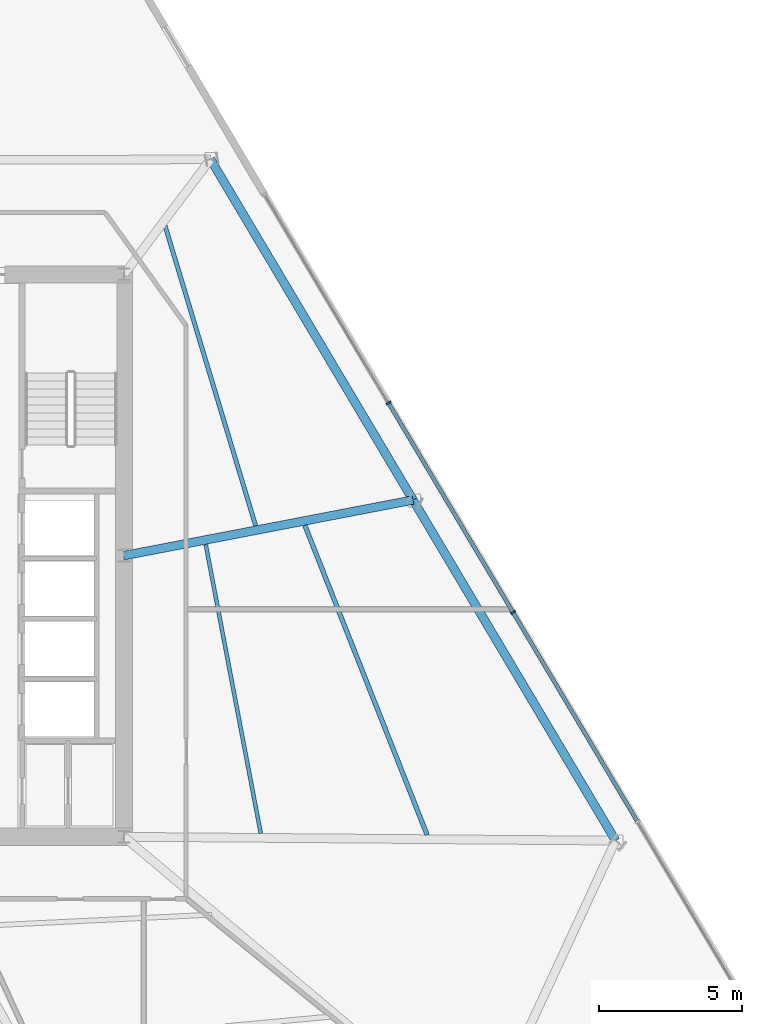
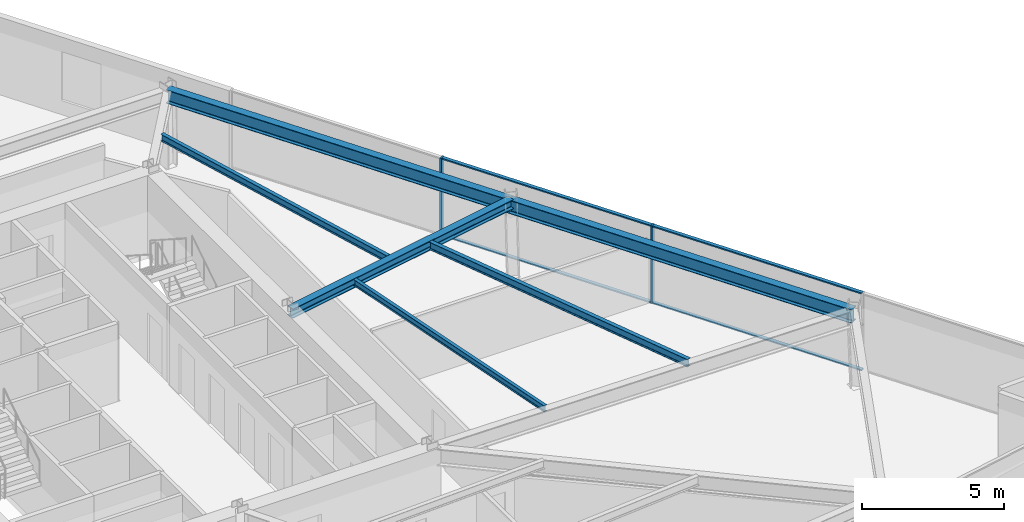
# One storey, part 6 of 18: 6 beams, 6 members, 1 element without a shape of its own.
"""IFC4 building model written with IfcOpenShell, lengths in metres."""

from ifc_helpers import new_model, si_unit, direction, frame, origin, origin_2d, place, context, subcontext, project, spatial, rectangle, i_section, extrude, material, material_profile, profile_set, type_object, element, aggregate, save


model = new_model("IFC4")

# Units and contexts
model_context = context("Model", 3, precision=1e-05, world=origin(), true_north=direction((0.0, 1.0)))
body_context = subcontext(model_context, "Body", "Model", "MODEL_VIEW")
ifc_project = project(units=[si_unit("LENGTHUNIT", "METRE"), si_unit("AREAUNIT", "SQUARE_METRE"), si_unit("VOLUMEUNIT", "CUBIC_METRE"), si_unit("PLANEANGLEUNIT", "RADIAN"), si_unit("MASSUNIT", "GRAM", prefix="KILO")], contexts=[model_context])

# Site, building, storey
site_placement = place(None, origin())
site = spatial("IfcSite", under=ifc_project, at=site_placement, CompositionType="ELEMENT")
building_placement = place(site_placement, origin())
building = spatial("IfcBuilding", under=site, at=building_placement, Name="Savorim Split Tower", CompositionType="ELEMENT")
storey_placement = place(building_placement, frame((0.0, 0.0, 37.199951171875)))
storey = spatial("IfcBuildingStorey", under=building, at=storey_placement, Name="L09", CompositionType="ELEMENT", Elevation=37.199951171875)

# Beams
ifc_material_1 = material(Name="Steel S355", Category="steel")
ifc_material_profile_1 = material_profile(ifc_material_1, i_section(OverallWidth=0.135009765625, OverallDepth=0.27001953125, WebThickness=0.006591796875, FlangeThickness=0.01025390625, FilletRadius=0.014892578125, at=origin_2d()), Name="IPE 270")
ifc_profile_set_1 = profile_set([ifc_material_profile_1], Name="Steel S355")
beam_type_1 = type_object("IfcBeamType", Name="BM-JST-IPE270", PredefinedType="JOIST", material=ifc_profile_set_1)
beam_1_placement = place(storey_placement, frame((12.468994140625, -9.280517578125, 3.215087890625), z_axis=(-0.187095685997, 0.98234169426, 0.0), x_axis=(-0.98234169426, -0.187095685997, 0.0)))
element("IfcBeam", 1, at=beam_1_placement, inside=storey, type_object=beam_type_1, Name="L09 Secondary Floor Joist JS-08", PredefinedType="JOIST", context=body_context, shape_type="SweptSolid", body=[
    extrude(i_section(OverallWidth=0.135009765625, OverallDepth=0.27001953125, WebThickness=0.006591796875, FlangeThickness=0.01025390625, FilletRadius=0.014892578125, at=origin_2d()), origin(), (0.0, 0.0, 1.0), 10.247314453125),
])
ifc_material_profile_2 = material_profile(ifc_material_1, i_section(OverallWidth=0.14990234375, OverallDepth=0.300048828125, WebThickness=0.007080078125, FlangeThickness=0.0107421875, FilletRadius=0.014892578125, at=origin_2d()), Name="IPE 300")
ifc_profile_set_2 = profile_set([ifc_material_profile_2], Name="Steel S355")
beam_type_2 = type_object("IfcBeamType", Name="BM-JST-IPE300", PredefinedType="JOIST", material=ifc_profile_set_2)
beam_2_placement = place(storey_placement, frame((12.28955078125, 1.4453125, 3.199951171875), z_axis=(-0.289122566556, 0.957292087875, 0.0), x_axis=(-0.957292087875, -0.289122566556, 0.0)))
element("IfcBeam", 2, at=beam_2_placement, inside=storey, type_object=beam_type_2, Name="L09 Secondary Floor Joist JS-07", PredefinedType="JOIST", context=body_context, shape_type="SweptSolid", body=[
    extrude(i_section(OverallWidth=0.14990234375, OverallDepth=0.300048828125, WebThickness=0.007080078125, FlangeThickness=0.0107421875, FilletRadius=0.014892578125, at=origin_2d()), origin(), (0.0, 0.0, 1.0), 10.9140625),
])
ifc_material_profile_3 = material_profile(ifc_material_1, i_section(OverallWidth=0.159912109375, OverallDepth=0.330078125, WebThickness=0.007568359375, FlangeThickness=0.011474609375, FilletRadius=0.01806640625, at=origin_2d()), Name="IPE 330")
ifc_profile_set_3 = profile_set([ifc_material_profile_3], Name="Steel S355")
beam_type_3 = type_object("IfcBeamType", Name="BM-JST-IPE330", PredefinedType="JOIST", material=ifc_profile_set_3)
beam_3_placement = place(storey_placement, frame((18.26708984375, -9.3349609375, 3.18505859375), z_axis=(-0.367268128361, 0.930115112172, 0.0), x_axis=(-0.930115112172, -0.367268128361, 0.0)))
element("IfcBeam", 3, at=beam_3_placement, inside=storey, type_object=beam_type_3, Name="L09 Secondary Floor Joist JS-06", PredefinedType="JOIST", context=body_context, shape_type="SweptSolid", body=[
    extrude(i_section(OverallWidth=0.159912109375, OverallDepth=0.330078125, WebThickness=0.007568359375, FlangeThickness=0.011474609375, FilletRadius=0.01806640625, at=origin_2d()), origin(), (0.0, 0.0, 1.0), 11.59912109375),
])
ifc_material_profile_4 = material_profile(ifc_material_1, i_section(OverallWidth=0.300048828125, OverallDepth=0.39990234375, WebThickness=0.013427734375, FlangeThickness=0.02392578125, FilletRadius=0.027099609375, at=origin_2d()), Name="HEB 400")
ifc_profile_set_4 = profile_set([ifc_material_profile_4], Name="Steel S355")
beam_type_4 = type_object("IfcBeamType", Name="BM-PRI-HEB400", PredefinedType="BEAM", material=ifc_profile_set_4)
beam_4_placement = place(storey_placement, frame((17.77783203125, 2.33935546875, 3.150146484375), z_axis=(-0.981981156133, -0.188978858604, 0.0), x_axis=(0.188978858604, -0.981981156133, 0.0)))
element("IfcBeam", 4, at=beam_4_placement, inside=storey, type_object=beam_type_4, Name="L09 Primary Floor Girder RG-06", PredefinedType="BEAM", context=body_context, shape_type="SweptSolid", body=[
    extrude(i_section(OverallWidth=0.300048828125, OverallDepth=0.39990234375, WebThickness=0.013427734375, FlangeThickness=0.02392578125, FilletRadius=0.027099609375, at=origin_2d()), origin(), (0.0, 0.0, 1.0), 10.2626953125),
])
ifc_material_profile_5 = material_profile(ifc_material_1, i_section(OverallWidth=0.300048828125, OverallDepth=0.590087890625, WebThickness=0.012939453125, FlangeThickness=0.02490234375, FilletRadius=0.027099609375, at=origin_2d()), Name="HEA 600")
ifc_profile_set_5 = profile_set([ifc_material_profile_5], Name="Steel S355")
beam_type_5 = type_object("IfcBeamType", Name="BM-SPN-HEA600", PredefinedType="SPANDREL", material=ifc_profile_set_5)
for number, where, z_axis, x_axis, name in (
    (5, (24.838623046875, -9.53515625, 3.054931640625), (-0.511089860326, 0.859527285589, 0.0), (-0.859527285589, -0.511089860326, 0.0), "L09 Perimeter Spandrel Beam 5"),
    (6, (17.77783203125, 2.33935546875, 3.054931640625), (-0.511102915943, 0.859519522358, 0.0), (-0.859519522358, -0.511102915943, 0.0), "L09 Perimeter Spandrel Beam 6"),
):
    element("IfcBeam", number, at=place(storey_placement, frame(where, z_axis=z_axis, x_axis=x_axis)), inside=storey, type_object=beam_type_5, Name=name, PredefinedType="SPANDREL", context=body_context, shape_type="SweptSolid", body=[
        extrude(i_section(OverallWidth=0.300048828125, OverallDepth=0.590087890625, WebThickness=0.012939453125, FlangeThickness=0.02490234375, FilletRadius=0.027099609375, at=origin_2d()), origin(), (0.0, 0.0, 1.0), 13.815185546875),
    ])

# Curtain wall, members
ifc_material_2 = material(Name="Dark Ceramic-Fritted Insulated Glass", Category="glass")
curtain_wall_type = type_object("IfcCurtainWallType", Name="CW-TWR-FRIT-A", PredefinedType="NOTDEFINED", material=ifc_material_2)
curtain_wall_placement = place(storey_placement, origin())
curtain_wall = element("IfcCurtainWall", 7, at=curtain_wall_placement, inside=storey, type_object=curtain_wall_type, Name="L09 Curtain Wall CW-L09-EAST", PredefinedType="NOTDEFINED")
ifc_material_3 = material(Name="Charcoal Anodised Aluminium", Category="aluminium")
ifc_material_profile_6 = material_profile(ifc_material_3, rectangle(XDim=0.179931640625, YDim=0.06494140625, at=origin_2d()), Name="ALU-M 180x65")
ifc_profile_set_6 = profile_set([ifc_material_profile_6], Name="Charcoal Anodised Aluminium")
member_type_1 = type_object("IfcMemberType", Name="CWM-180x65", PredefinedType="MULLION", material=ifc_profile_set_6)
member_1_placement = place(storey_placement, frame((21.263916015625, -1.5791015625, 0.0), z_axis=(0.0, 0.0, 1.0), x_axis=(-0.859525752007, -0.511092439425, 0.0)))
member_1 = element("IfcMember", 8, at=member_1_placement, type_object=member_type_1, Name="CW-02 mullion 3", PredefinedType="MULLION", context=body_context, shape_type="SweptSolid", body=[
    extrude(rectangle(XDim=0.179931640625, YDim=0.06494140625, at=origin_2d()), origin(), (0.0, 0.0, 1.0), 3.35009765625),
])
member_2_placement = place(storey_placement, frame((16.92333984375, 5.72021484375, 0.0), z_axis=(0.0, 0.0, 1.0), x_axis=(-0.859525752007, -0.511092439425, 0.0)))
member_2 = element("IfcMember", 9, at=member_2_placement, type_object=member_type_1, Name="CW-02 mullion 4", PredefinedType="MULLION", context=body_context, shape_type="SweptSolid", body=[
    extrude(rectangle(XDim=0.179931640625, YDim=0.06494140625, at=origin_2d()), origin(), (0.0, 0.0, 1.0), 3.35009765625),
])
ifc_material_profile_7 = material_profile(ifc_material_3, rectangle(XDim=0.139892578125, YDim=0.054931640625, at=origin_2d()), Name="ALU-T 140x55")
ifc_profile_set_7 = profile_set([ifc_material_profile_7], Name="Charcoal Anodised Aluminium")
member_type_2 = type_object("IfcMemberType", Name="CWT-140x55", PredefinedType="USERDEFINED", material=ifc_profile_set_7)
member_3_placement = place(storey_placement, frame((25.587646484375, -8.8505859375, 0.027587890625), z_axis=(-0.511096217662, 0.859523505375, 0.0), x_axis=(-0.859523505375, -0.511096217662, 0.0)))
member_3 = element("IfcMember", 10, at=member_3_placement, type_object=member_type_2, Name="CW-02 transom 2.1", ObjectType="TRANSOM", PredefinedType="USERDEFINED", context=body_context, shape_type="SweptSolid", body=[
    extrude(rectangle(XDim=0.139892578125, YDim=0.054931640625, at=origin_2d()), origin(), (0.0, 0.0, 1.0), 8.42724609375),
])
member_4_placement = place(storey_placement, frame((25.587646484375, -8.8505859375, 3.322509765625), z_axis=(-0.511096217662, 0.859523505375, 0.0), x_axis=(-0.859523505375, -0.511096217662, 0.0)))
member_4 = element("IfcMember", 11, at=member_4_placement, type_object=member_type_2, Name="CW-02 transom 2.2", ObjectType="TRANSOM", PredefinedType="USERDEFINED", context=body_context, shape_type="SweptSolid", body=[
    extrude(rectangle(XDim=0.139892578125, YDim=0.054931640625, at=origin_2d()), origin(), (0.0, 0.0, 1.0), 8.42724609375),
])
member_5_placement = place(storey_placement, frame((21.2470703125, -1.55126953125, 0.027587890625), z_axis=(-0.511096217662, 0.859523505375, 0.0), x_axis=(-0.859523505375, -0.511096217662, 0.0)))
member_5 = element("IfcMember", 12, at=member_5_placement, type_object=member_type_2, Name="CW-02 transom 3.1", ObjectType="TRANSOM", PredefinedType="USERDEFINED", context=body_context, shape_type="SweptSolid", body=[
    extrude(rectangle(XDim=0.139892578125, YDim=0.054931640625, at=origin_2d()), origin(), (0.0, 0.0, 1.0), 8.42724609375),
])
member_6_placement = place(storey_placement, frame((21.2470703125, -1.55126953125, 3.322509765625), z_axis=(-0.511096217662, 0.859523505375, 0.0), x_axis=(-0.859523505375, -0.511096217662, 0.0)))
member_6 = element("IfcMember", 13, at=member_6_placement, type_object=member_type_2, Name="CW-02 transom 3.2", ObjectType="TRANSOM", PredefinedType="USERDEFINED", context=body_context, shape_type="SweptSolid", body=[
    extrude(rectangle(XDim=0.139892578125, YDim=0.054931640625, at=origin_2d()), origin(), (0.0, 0.0, 1.0), 8.42724609375),
])
aggregate(curtain_wall, [member_1, member_2, member_3, member_4, member_5, member_6])

save(model, "model.ifc")
